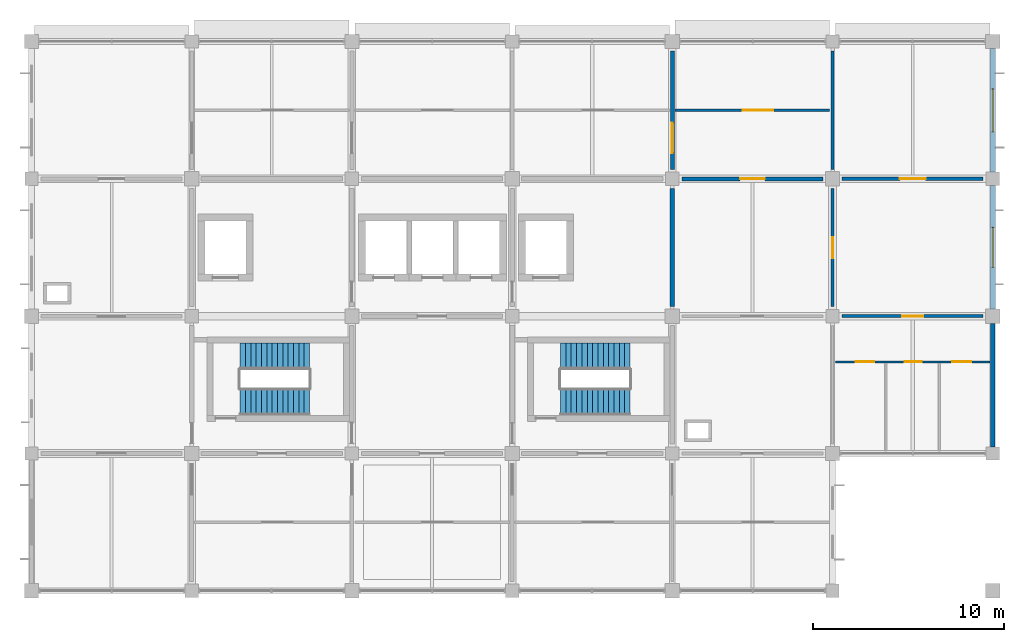
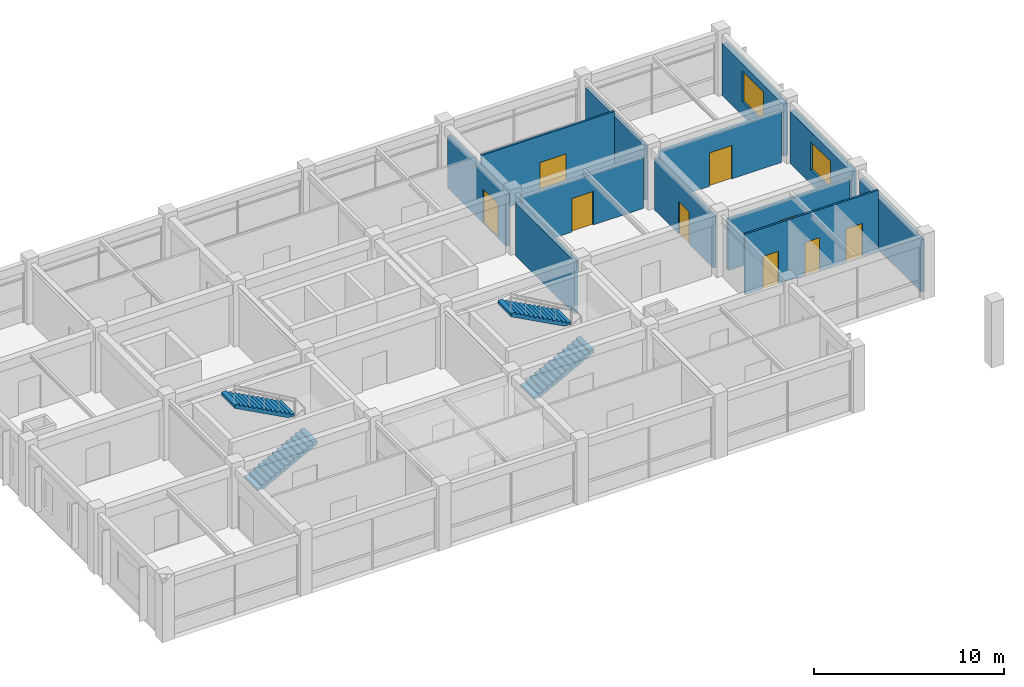
# One storey, part 11 of 13: 12 walls, 9 doors, 4 stair flights, 2 windows, 11 openings, 2 elements without a shape of their own.
"""IFC4 building model written with IfcOpenShell, lengths in metres."""

from ifc_helpers import new_model, si_unit, derived_unit, direction, frame, frame_2d, origin, place, context, subcontext, project, spatial, polyline, rectangle, outline, extrude, material, layer, layer_set, type_object, element, fill, aggregate, save


model = new_model("IFC4")

# Units and contexts
model_context = context("Model", 3, precision=1e-05, world=origin(), true_north=direction((0.0, 1.0)))
body_context = subcontext(model_context, "Body", "Model", "MODEL_VIEW")
ifc_project = project(units=[si_unit("LENGTHUNIT", "METRE"), si_unit("AREAUNIT", "SQUARE_METRE"), si_unit("VOLUMEUNIT", "CUBIC_METRE"), si_unit("PLANEANGLEUNIT", "RADIAN"), si_unit("MASSUNIT", "GRAM", prefix="KILO"), derived_unit("THERMALTRANSMITTANCEUNIT", [(si_unit("MASSUNIT", "GRAM", prefix="KILO"), 1), (si_unit("TIMEUNIT", "SECOND"), -3), (si_unit("THERMODYNAMICTEMPERATUREUNIT", "KELVIN"), -1)])], contexts=[model_context])

# Site, building, storey
site_placement = place(None, origin())
site = spatial("IfcSite", under=ifc_project, at=site_placement, CompositionType="ELEMENT")
building_placement = place(site_placement, origin())
building = spatial("IfcBuilding", under=site, at=building_placement, Name="Veldstrom Oceanarium and Marine Research Institute", CompositionType="ELEMENT")
storey_placement = place(building_placement, frame((0.0, 0.0, 39.60009765625)))
storey = spatial("IfcBuildingStorey", under=building, at=storey_placement, Name="L08", CompositionType="ELEMENT", Elevation=39.60009765625)

# Wall, opening, window
ifc_material_1 = material(Name="Masonry Cavity Wall", Category="masonry")
ifc_layer_1 = layer(ifc_material_1, 0.31005859375)
ifc_layer_set_1 = layer_set([ifc_layer_1], Name="ARC-WAL-EW1")
wall_type_1 = type_object("IfcWallType", Name="ARC-WAL-EW1", PredefinedType="SOLIDWALL", material=ifc_layer_set_1)
wall_1_placement = place(storey_placement, frame((117.60009765625, 57.97509765625, 0.0), z_axis=(0.0, 0.0, 1.0), x_axis=(0.0, 1.0, 0.0)))
wall_1 = element("IfcWall", 1, at=wall_1_placement, inside=storey, type_object=wall_type_1, Name="Exterior Facade Wall EW1 L08-210", PredefinedType="SOLIDWALL", context=body_context, shape_type="SweptSolid", body=[
    extrude(rectangle(XDim=6.474853515625, YDim=0.31005859375, at=frame_2d((3.2373046875, 0.0))), origin(), (0.0, 0.0, 1.0), 3.344970703125),
])
opening_1_placement = place(wall_1_placement, frame((2.1875, 0.0, 0.89990234375)))
opening_1 = element("IfcOpeningElement", 2, at=opening_1_placement, cuts=wall_1, Name="Opening W02", PredefinedType="OPENING", context=body_context, shape_type="SweptSolid", body=[
    extrude(rectangle(XDim=2.10009765625, YDim=1.800048828125, at=frame_2d((1.050048828125, 0.89990234375))), frame((0.0, 0.1650390625, 0.0), z_axis=(0.0, -1.0, 0.0), x_axis=(1.0, 0.0, 0.0)), (0.0, 0.0, 1.0), 0.330078125),
])
ifc_material_2 = material(Name="Double Glazed Low-E IGU", Category="glass")
window_type_1 = type_object("IfcWindowType", Name="ARC-WIN-W02", PartitioningType="SINGLE_PANEL", PredefinedType="WINDOW", material=ifc_material_2)
window_1_placement = place(opening_1_placement, origin())
window_1 = element("IfcWindow", 3, at=window_1_placement, inside=storey, type_object=window_type_1, Name="Facade Window W02 L08-0185", OverallHeight=1.800048828125, OverallWidth=2.10009765625, PartitioningType="SINGLE_PANEL", PredefinedType="WINDOW", context=body_context, shape_type="SweptSolid", body=[
    extrude(rectangle(XDim=2.10009765625, YDim=1.800048828125, at=frame_2d((1.050048828125, 0.89990234375))), frame((0.0, 0.030029296875, 0.0), z_axis=(0.0, -1.0, 0.0), x_axis=(1.0, 0.0, 0.0)), (0.0, 0.0, 1.0), 0.06005859375),
])
fill(opening_1, window_1)

ifc_material_3 = material(Name="Masonry Cavity Wall", Category="masonry")
ifc_layer_2 = layer(ifc_material_3, 0.2900390625)
ifc_layer_set_2 = layer_set([ifc_layer_2], Name="ARC-WAL-EW2")
wall_type_2 = type_object("IfcWallType", Name="ARC-WAL-EW2", PredefinedType="SOLIDWALL", material=ifc_layer_set_2)
wall_2_placement = place(storey_placement, frame((117.60009765625, 65.14990234375, 0.0), z_axis=(0.0, 0.0, 1.0), x_axis=(0.0, 1.0, 0.0)))
wall_2 = element("IfcWall", 4, at=wall_2_placement, inside=storey, type_object=wall_type_2, Name="Exterior Facade Wall EW2 L08-211", PredefinedType="SOLIDWALL", context=body_context, shape_type="SweptSolid", body=[
    extrude(rectangle(XDim=6.47509765625, YDim=0.2900390625, at=frame_2d((3.237548828125, 0.0))), origin(), (0.0, 0.0, 1.0), 3.344970703125),
])
opening_2_placement = place(wall_2_placement, frame((2.112548828125, 0.0, 0.89990234375)))
opening_2 = element("IfcOpeningElement", 5, at=opening_2_placement, cuts=wall_2, Name="Opening W21", PredefinedType="OPENING", context=body_context, shape_type="SweptSolid", body=[
    extrude(rectangle(XDim=2.25, YDim=1.949951171875, at=frame_2d((1.125, 0.97509765625))), frame((0.0, 0.155029296875, 0.0), z_axis=(0.0, -1.0, 0.0), x_axis=(1.0, 0.0, 0.0)), (0.0, 0.0, 1.0), 0.31005859375),
])
ifc_material_4 = material(Name="Double Glazed Low-E IGU", Category="glass")
window_type_2 = type_object("IfcWindowType", Name="ARC-WIN-W21", PartitioningType="SINGLE_PANEL", PredefinedType="WINDOW", material=ifc_material_4)
window_2_placement = place(opening_2_placement, origin())
window_2 = element("IfcWindow", 6, at=window_2_placement, inside=storey, type_object=window_type_2, Name="Facade Window W21 L08-0186", OverallHeight=1.949951171875, OverallWidth=2.25, PartitioningType="SINGLE_PANEL", PredefinedType="WINDOW", context=body_context, shape_type="SweptSolid", body=[
    extrude(rectangle(XDim=2.25, YDim=1.949951171875, at=frame_2d((1.125, 0.97509765625))), frame((0.0, 0.030029296875, 0.0), z_axis=(0.0, -1.0, 0.0), x_axis=(1.0, 0.0, 0.0)), (0.0, 0.0, 1.0), 0.06005859375),
])
fill(opening_2, window_2)

# Walls
ifc_material_5 = material(Name="Masonry Cavity Wall", Category="masonry")
ifc_layer_3 = layer(ifc_material_5, 0.215087890625)
ifc_layer_set_3 = layer_set([ifc_layer_3], Name="ARC-WAL-EW6")
wall_type_3 = type_object("IfcWallType", Name="ARC-WAL-EW6", PredefinedType="SOLIDWALL", material=ifc_layer_set_3)
wall_3_placement = place(storey_placement, frame((117.60009765625, 50.75, 0.0), z_axis=(0.0, 0.0, 1.0), x_axis=(0.0, 1.0, 0.0)))
element("IfcWall", 7, at=wall_3_placement, inside=storey, type_object=wall_type_3, Name="Exterior Facade Wall EW6 L08-209", PredefinedType="SOLIDWALL", context=body_context, shape_type="SweptSolid", body=[
    extrude(rectangle(XDim=6.47509765625, YDim=0.215087890625, at=frame_2d((3.237548828125, 0.0))), origin(), (0.0, 0.0, 1.0), 3.344970703125),
])
ifc_material_6 = material(Name="Masonry Fire Compartment Wall", Category="masonry")
ifc_layer_4 = layer(ifc_material_6, 0.22998046875)
ifc_layer_set_4 = layer_set([ifc_layer_4], Name="ARC-WAL-PT1")
wall_type_4 = type_object("IfcWallType", Name="ARC-WAL-PT1", PredefinedType="PARTITIONING", material=ifc_layer_set_4)
wall_4_placement = place(storey_placement, frame((100.800048828125, 58.10009765625, 0.0), z_axis=(0.0, 0.0, 1.0), x_axis=(0.0, 1.0, 0.0)))
element("IfcWall", 8, at=wall_4_placement, inside=storey, type_object=wall_type_4, Name="Interior Partition PT1 L08-1591", PredefinedType="PARTITIONING", context=body_context, shape_type="SweptSolid", body=[
    extrude(rectangle(XDim=6.199951171875, YDim=0.22998046875, at=frame_2d((3.10009765625, 0.0))), origin(), (0.0, 0.0, 1.0), 3.39501953125),
])

# Wall, opening, door
ifc_material_7 = material(Name="Gypsum Acoustic Lab Partition", Category="gypsum")
ifc_layer_5 = layer(ifc_material_7, 0.1201171875)
ifc_layer_set_5 = layer_set([ifc_layer_5], Name="ARC-WAL-PT10")
wall_type_5 = type_object("IfcWallType", Name="ARC-WAL-PT10", PredefinedType="PARTITIONING", material=ifc_layer_set_5)
wall_5_placement = place(storey_placement, frame((100.949951171875, 68.39990234375, 0.0), z_axis=(0.0, 0.0, 1.0), x_axis=(1.0, 0.0, 0.0)))
wall_5 = element("IfcWall", 9, at=wall_5_placement, inside=storey, type_object=wall_type_5, Name="Laboratory Suite Partition L08-12/9", PredefinedType="PARTITIONING", context=body_context, shape_type="SweptSolid", body=[
    extrude(rectangle(XDim=8.10009765625, YDim=0.1201171875, at=frame_2d((4.050048828125, 0.0))), origin(), (0.0, 0.0, 1.0), 3.89990234375),
])
opening_3_placement = place(wall_5_placement, frame((3.550048828125, 0.0, 0.0)))
opening_3 = element("IfcOpeningElement", 10, at=opening_3_placement, cuts=wall_5, Name="Opening D-L08-S948", PredefinedType="OPENING", context=body_context, shape_type="SweptSolid", body=[
    extrude(rectangle(XDim=1.60009765625, YDim=2.199951171875, at=frame_2d((0.800048828125, 1.10009765625))), frame((0.0, 0.070068359375, 0.0), z_axis=(0.0, -1.0, 0.0), x_axis=(1.0, 0.0, 0.0)), (0.0, 0.0, 1.0), 0.14013671875),
])
ifc_material_8 = material(Name="Acoustic Timber Corridor Door", Category="wood")
door_type_1 = type_object("IfcDoorType", Name="ARC-DOR-ID02", OperationType="DOUBLE_DOOR_SINGLE_SWING", PredefinedType="DOOR", material=ifc_material_8)
door_1_placement = place(opening_3_placement, origin())
door_1 = element("IfcDoor", 11, at=door_1_placement, inside=storey, type_object=door_type_1, Name="Suite Interior Door D-L08-S948", OperationType="SINGLE_SWING_LEFT", OverallHeight=2.199951171875, OverallWidth=1.60009765625, PredefinedType="DOOR", context=body_context, shape_type="SweptSolid", body=[
    extrude(rectangle(XDim=1.60009765625, YDim=2.199951171875, at=frame_2d((0.800048828125, 1.10009765625))), frame((0.0, 0.02490234375, 0.0), z_axis=(0.0, -1.0, 0.0), x_axis=(1.0, 0.0, 0.0)), (0.0, 0.0, 1.0), 0.050048828125),
])
fill(opening_3, door_1)

ifc_material_9 = material(Name="Masonry Acoustic Lab Partition", Category="masonry")
ifc_layer_6 = layer(ifc_material_9, 0.205078125)
ifc_layer_set_6 = layer_set([ifc_layer_6], Name="ARC-WAL-PT2")
wall_type_6 = type_object("IfcWallType", Name="ARC-WAL-PT2", PredefinedType="PARTITIONING", material=ifc_layer_set_6)
wall_6_placement = place(storey_placement, frame((100.800048828125, 65.300048828125, 0.0), z_axis=(0.0, 0.0, 1.0), x_axis=(0.0, 1.0, 0.0)))
wall_6 = element("IfcWall", 12, at=wall_6_placement, inside=storey, type_object=wall_type_6, Name="Interior Partition PT2 L08-1593", PredefinedType="PARTITIONING", context=body_context, shape_type="SweptSolid", body=[
    extrude(rectangle(XDim=6.199951171875, YDim=0.205078125, at=frame_2d((3.10009765625, 0.0))), origin(), (0.0, 0.0, 1.0), 3.344970703125),
])
opening_4_placement = place(wall_6_placement, frame((0.85009765625, 0.0, 0.0)))
opening_4 = element("IfcOpeningElement", 13, at=opening_4_placement, cuts=wall_6, Name="Opening D-L08-967", PredefinedType="OPENING", context=body_context, shape_type="SweptSolid", body=[
    extrude(rectangle(XDim=1.60009765625, YDim=2.199951171875, at=frame_2d((0.800048828125, 1.10009765625))), frame((0.0, 0.112548828125, 0.0), z_axis=(0.0, -1.0, 0.0), x_axis=(1.0, 0.0, 0.0)), (0.0, 0.0, 1.0), 0.22509765625),
])
door_2_placement = place(opening_4_placement, frame((1.60009765625, 0.0, 0.0), z_axis=(0.0, 0.0, 1.0), x_axis=(-1.0, 0.0, 0.0)))
door_2 = element("IfcDoor", 14, at=door_2_placement, inside=storey, type_object=door_type_1, Name="Interior Door D-L08-967", OperationType="DOUBLE_DOOR_SINGLE_SWING", OverallHeight=2.199951171875, OverallWidth=1.60009765625, PredefinedType="DOOR", context=body_context, shape_type="SweptSolid", body=[
    extrude(rectangle(XDim=1.60009765625, YDim=2.199951171875, at=frame_2d((0.800048828125, 1.10009765625))), frame((0.0, 0.02490234375, 0.0), z_axis=(0.0, -1.0, 0.0), x_axis=(1.0, 0.0, 0.0)), (0.0, 0.0, 1.0), 0.050048828125),
])
fill(opening_4, door_2)

wall_7_placement = place(storey_placement, frame((101.300048828125, 64.800048828125, 0.0), z_axis=(0.0, 0.0, 1.0), x_axis=(1.0, 0.0, 0.0)))
wall_7 = element("IfcWall", 15, at=wall_7_placement, inside=storey, type_object=wall_type_6, Name="Interior Partition PT2 L08-1598", PredefinedType="PARTITIONING", context=body_context, shape_type="SweptSolid", body=[
    extrude(rectangle(XDim=7.39990234375, YDim=0.205078125, at=frame_2d((3.699951171875, 0.0))), origin(), (0.0, 0.0, 1.0), 3.294921875),
])
opening_5_placement = place(wall_7_placement, frame((3.050048828125, 0.0, 0.0)))
opening_5 = element("IfcOpeningElement", 16, at=opening_5_placement, cuts=wall_7, Name="Opening D-L08-971", PredefinedType="OPENING", context=body_context, shape_type="SweptSolid", body=[
    extrude(rectangle(XDim=1.300048828125, YDim=2.14990234375, at=frame_2d((0.64990234375, 1.074951171875))), frame((0.0, 0.112548828125, 0.0), z_axis=(0.0, -1.0, 0.0), x_axis=(1.0, 0.0, 0.0)), (0.0, 0.0, 1.0), 0.22509765625),
])
ifc_material_10 = material(Name="Wet Lab Leaf-and-Half Door", Category="timber")
door_type_2 = type_object("IfcDoorType", Name="ARC-DOR-ID05", OperationType="SINGLE_SWING_LEFT", PredefinedType="DOOR", material=ifc_material_10)
door_3_placement = place(opening_5_placement, origin())
door_3 = element("IfcDoor", 17, at=door_3_placement, inside=storey, type_object=door_type_2, Name="Interior Door D-L08-971", OperationType="SINGLE_SWING_LEFT", OverallHeight=2.14990234375, OverallWidth=1.300048828125, PredefinedType="DOOR", context=body_context, shape_type="SweptSolid", body=[
    extrude(rectangle(XDim=1.300048828125, YDim=2.14990234375, at=frame_2d((0.64990234375, 1.074951171875))), frame((0.0, 0.02490234375, 0.0), z_axis=(0.0, -1.0, 0.0), x_axis=(1.0, 0.0, 0.0)), (0.0, 0.0, 1.0), 0.050048828125),
])
fill(opening_5, door_3)

# Wall
ifc_material_11 = material(Name="Drywall Acoustic Partition", Category="gypsum")
ifc_layer_7 = layer(ifc_material_11, 0.175048828125)
ifc_layer_set_7 = layer_set([ifc_layer_7], Name="ARC-WAL-PT3")
wall_type_7 = type_object("IfcWallType", Name="ARC-WAL-PT3", PredefinedType="PARTITIONING", material=ifc_layer_set_7)
wall_8_placement = place(storey_placement, frame((109.199951171875, 65.300048828125, 0.0), z_axis=(0.0, 0.0, 1.0), x_axis=(0.0, 1.0, 0.0)))
element("IfcWall", 18, at=wall_8_placement, inside=storey, type_object=wall_type_7, Name="Interior Partition PT3 L08-1599", PredefinedType="PARTITIONING", context=body_context, shape_type="SweptSolid", body=[
    extrude(rectangle(XDim=6.199951171875, YDim=0.175048828125, at=frame_2d((3.10009765625, 0.0))), origin(), (0.0, 0.0, 1.0), 3.494873046875),
])

# Wall, opening, door
wall_9_placement = place(storey_placement, frame((109.699951171875, 64.800048828125, 0.0), z_axis=(0.0, 0.0, 1.0), x_axis=(1.0, 0.0, 0.0)))
wall_9 = element("IfcWall", 19, at=wall_9_placement, inside=storey, type_object=wall_type_7, Name="Interior Partition PT3 L08-1601", PredefinedType="PARTITIONING", context=body_context, shape_type="SweptSolid", body=[
    extrude(rectangle(XDim=7.400146484375, YDim=0.175048828125, at=frame_2d((3.7001953125, 0.0))), origin(), (0.0, 0.0, 1.0), 3.294921875),
])
opening_6_placement = place(wall_9_placement, frame((3.02490234375, 0.0, 0.0)))
opening_6 = element("IfcOpeningElement", 20, at=opening_6_placement, cuts=wall_9, Name="Opening D-L08-973", PredefinedType="OPENING", context=body_context, shape_type="SweptSolid", body=[
    extrude(rectangle(XDim=1.35009765625, YDim=2.14990234375, at=frame_2d((0.675048828125, 1.074951171875))), frame((0.0, 0.097412109375, 0.0), z_axis=(0.0, -1.0, 0.0), x_axis=(1.0, 0.0, 0.0)), (0.0, 0.0, 1.0), 0.195068359375),
])
ifc_material_12 = material(Name="Cleanroom Airlock Door", Category="steel")
door_type_3 = type_object("IfcDoorType", Name="ARC-DOR-ID15", OperationType="SINGLE_SWING_LEFT", PredefinedType="DOOR", material=ifc_material_12)
door_4_placement = place(opening_6_placement, frame((1.35009765625, 0.0, 0.0), z_axis=(0.0, 0.0, 1.0), x_axis=(-1.0, 0.0, 0.0)))
door_4 = element("IfcDoor", 21, at=door_4_placement, inside=storey, type_object=door_type_3, Name="Interior Door D-L08-973", OperationType="SINGLE_SWING_LEFT", OverallHeight=2.14990234375, OverallWidth=1.35009765625, PredefinedType="DOOR", context=body_context, shape_type="SweptSolid", body=[
    extrude(rectangle(XDim=1.35009765625, YDim=2.14990234375, at=frame_2d((0.675048828125, 1.074951171875))), frame((0.0, 0.02490234375, 0.0), z_axis=(0.0, -1.0, 0.0), x_axis=(1.0, 0.0, 0.0)), (0.0, 0.0, 1.0), 0.050048828125),
])
fill(opening_6, door_4)

ifc_material_13 = material(Name="Drywall Corridor Partition", Category="gypsum")
ifc_layer_8 = layer(ifc_material_13, 0.155029296875)
ifc_layer_set_8 = layer_set([ifc_layer_8], Name="ARC-WAL-PT4")
wall_type_8 = type_object("IfcWallType", Name="ARC-WAL-PT4", PredefinedType="PARTITIONING", material=ifc_layer_set_8)
wall_10_placement = place(storey_placement, frame((109.199951171875, 58.10009765625, 0.0), z_axis=(0.0, 0.0, 1.0), x_axis=(0.0, 1.0, 0.0)))
wall_10 = element("IfcWall", 22, at=wall_10_placement, inside=storey, type_object=wall_type_8, Name="Interior Partition PT4 L08-1597", PredefinedType="PARTITIONING", context=body_context, shape_type="SweptSolid", body=[
    extrude(rectangle(XDim=6.199951171875, YDim=0.155029296875, at=frame_2d((3.10009765625, 0.0))), origin(), (0.0, 0.0, 1.0), 3.344970703125),
])
opening_7_placement = place(wall_10_placement, frame((2.550048828125, 0.0, 0.0)))
opening_7 = element("IfcOpeningElement", 23, at=opening_7_placement, cuts=wall_10, Name="Opening D-L08-970", PredefinedType="OPENING", context=body_context, shape_type="SweptSolid", body=[
    extrude(rectangle(XDim=1.10009765625, YDim=2.10009765625, at=frame_2d((0.550048828125, 1.050048828125))), frame((0.0, 0.08740234375, 0.0), z_axis=(0.0, -1.0, 0.0), x_axis=(1.0, 0.0, 0.0)), (0.0, 0.0, 1.0), 0.175048828125),
])
ifc_material_14 = material(Name="Research Office Door", Category="timber")
door_type_4 = type_object("IfcDoorType", Name="ARC-DOR-ID07", OperationType="SINGLE_SWING_LEFT", PredefinedType="DOOR", material=ifc_material_14)
door_5_placement = place(opening_7_placement, frame((1.10009765625, 0.0, 0.0), z_axis=(0.0, 0.0, 1.0), x_axis=(-1.0, 0.0, 0.0)))
door_5 = element("IfcDoor", 24, at=door_5_placement, inside=storey, type_object=door_type_4, Name="Interior Door D-L08-970", OperationType="SINGLE_SWING_RIGHT", OverallHeight=2.10009765625, OverallWidth=1.10009765625, PredefinedType="DOOR", context=body_context, shape_type="SweptSolid", body=[
    extrude(rectangle(XDim=1.10009765625, YDim=2.10009765625, at=frame_2d((0.550048828125, 1.050048828125))), frame((0.0, 0.02490234375, 0.0), z_axis=(0.0, -1.0, 0.0), x_axis=(1.0, 0.0, 0.0)), (0.0, 0.0, 1.0), 0.050048828125),
])
fill(opening_7, door_5)

wall_11_placement = place(storey_placement, frame((109.699951171875, 57.60009765625, 0.0), z_axis=(0.0, 0.0, 1.0), x_axis=(1.0, 0.0, 0.0)))
wall_11 = element("IfcWall", 25, at=wall_11_placement, inside=storey, type_object=wall_type_8, Name="Interior Partition PT4 L08-1600", PredefinedType="PARTITIONING", context=body_context, shape_type="SweptSolid", body=[
    extrude(rectangle(XDim=7.400146484375, YDim=0.155029296875, at=frame_2d((3.7001953125, 0.0))), origin(), (0.0, 0.0, 1.0), 3.294921875),
])
opening_8_placement = place(wall_11_placement, frame((3.14990234375, 0.0, 0.0)))
opening_8 = element("IfcOpeningElement", 26, at=opening_8_placement, cuts=wall_11, Name="Opening D-L08-972", PredefinedType="OPENING", context=body_context, shape_type="SweptSolid", body=[
    extrude(rectangle(XDim=1.10009765625, YDim=2.10009765625, at=frame_2d((0.550048828125, 1.050048828125))), frame((0.0, 0.08740234375, 0.0), z_axis=(0.0, -1.0, 0.0), x_axis=(1.0, 0.0, 0.0)), (0.0, 0.0, 1.0), 0.175048828125),
])
door_6_placement = place(opening_8_placement, frame((1.10009765625, 0.0, 0.0), z_axis=(0.0, 0.0, 1.0), x_axis=(-1.0, 0.0, 0.0)))
door_6 = element("IfcDoor", 27, at=door_6_placement, inside=storey, type_object=door_type_4, Name="Interior Door D-L08-972", OperationType="SINGLE_SWING_RIGHT", OverallHeight=2.10009765625, OverallWidth=1.10009765625, PredefinedType="DOOR", context=body_context, shape_type="SweptSolid", body=[
    extrude(rectangle(XDim=1.10009765625, YDim=2.10009765625, at=frame_2d((0.550048828125, 1.050048828125))), frame((0.0, 0.02490234375, 0.0), z_axis=(0.0, -1.0, 0.0), x_axis=(1.0, 0.0, 0.0)), (0.0, 0.0, 1.0), 0.050048828125),
])
fill(opening_8, door_6)

# Wall, openings, doors
ifc_material_15 = material(Name="Lightweight Studio Partition", Category="gypsum")
ifc_layer_9 = layer(ifc_material_15, 0.1201171875)
ifc_layer_set_9 = layer_set([ifc_layer_9], Name="ARC-WAL-PT6")
wall_type_9 = type_object("IfcWallType", Name="ARC-WAL-PT6", PredefinedType="PARTITIONING", material=ifc_layer_set_9)
wall_12_placement = place(storey_placement, frame((109.35009765625, 55.199951171875, 0.0), z_axis=(0.0, 0.0, 1.0), x_axis=(1.0, 0.0, 0.0)))
wall_12 = element("IfcWall", 28, at=wall_12_placement, inside=storey, type_object=wall_type_9, Name="Sanitary Vestibule Partition L08-13", PredefinedType="PARTITIONING", context=body_context, shape_type="SweptSolid", body=[
    extrude(rectangle(XDim=8.099853515625, YDim=0.1201171875, at=frame_2d((4.0498046875, 0.0))), origin(), (0.0, 0.0, 1.0), 3.89990234375),
])
opening_9_placement = place(wall_12_placement, frame((1.080078125, 0.0, 0.0)))
opening_9 = element("IfcOpeningElement", 29, at=opening_9_placement, cuts=wall_12, Name="Opening D-L08-WC938", PredefinedType="OPENING", context=body_context, shape_type="SweptSolid", body=[
    extrude(rectangle(XDim=0.949951171875, YDim=2.10009765625, at=frame_2d((0.47509765625, 1.050048828125))), frame((0.0, 0.070068359375, 0.0), z_axis=(0.0, -1.0, 0.0), x_axis=(1.0, 0.0, 0.0)), (0.0, 0.0, 1.0), 0.14013671875),
])
opening_10_placement = place(wall_12_placement, frame((3.6298828125, 0.0, 0.0)))
opening_10 = element("IfcOpeningElement", 30, at=opening_10_placement, cuts=wall_12, Name="Opening D-L08-WC939", PredefinedType="OPENING", context=body_context, shape_type="SweptSolid", body=[
    extrude(rectangle(XDim=0.89990234375, YDim=2.10009765625, at=frame_2d((0.449951171875, 1.050048828125))), frame((0.0, 0.070068359375, 0.0), z_axis=(0.0, -1.0, 0.0), x_axis=(1.0, 0.0, 0.0)), (0.0, 0.0, 1.0), 0.14013671875),
])
opening_11_placement = place(wall_12_placement, frame((6.1298828125, 0.0, 0.0)))
opening_11 = element("IfcOpeningElement", 31, at=opening_11_placement, cuts=wall_12, Name="Opening D-L08-WC940", PredefinedType="OPENING", context=body_context, shape_type="SweptSolid", body=[
    extrude(rectangle(XDim=1.0, YDim=2.10009765625, at=frame_2d((0.5, 1.050048828125))), frame((0.0, 0.070068359375, 0.0), z_axis=(0.0, -1.0, 0.0), x_axis=(1.0, 0.0, 0.0)), (0.0, 0.0, 1.0), 0.14013671875),
])
ifc_material_16 = material(Name="Accessible Sanitary Door", Category="timber")
door_type_5 = type_object("IfcDoorType", Name="ARC-DOR-ID08", OperationType="SINGLE_SWING_RIGHT", PredefinedType="DOOR", material=ifc_material_16)
door_7_placement = place(opening_11_placement, frame((1.0, 0.0, 0.0), z_axis=(0.0, 0.0, 1.0), x_axis=(-1.0, 0.0, 0.0)))
door_7 = element("IfcDoor", 32, at=door_7_placement, inside=storey, type_object=door_type_5, Name="Accessible WC Door D-L08-WC940", OperationType="SINGLE_SWING_RIGHT", OverallHeight=2.10009765625, OverallWidth=1.0, PredefinedType="DOOR", context=body_context, shape_type="SweptSolid", body=[
    extrude(rectangle(XDim=1.0, YDim=2.10009765625, at=frame_2d((0.5, 1.050048828125))), frame((0.0, 0.02490234375, 0.0), z_axis=(0.0, -1.0, 0.0), x_axis=(1.0, 0.0, 0.0)), (0.0, 0.0, 1.0), 0.050048828125),
])
fill(opening_11, door_7)
ifc_material_17 = material(Name="Staff Sanitary Door", Category="timber")
door_type_6 = type_object("IfcDoorType", Name="ARC-DOR-ID09", OperationType="SINGLE_SWING_LEFT", PredefinedType="DOOR", material=ifc_material_17)
door_8_placement = place(opening_9_placement, frame((0.949951171875, 0.0, 0.0), z_axis=(0.0, 0.0, 1.0), x_axis=(-1.0, 0.0, 0.0)))
door_8 = element("IfcDoor", 33, at=door_8_placement, inside=storey, type_object=door_type_6, Name="Male WC Door D-L08-WC938", OperationType="SINGLE_SWING_RIGHT", OverallHeight=2.10009765625, OverallWidth=0.949951171875, PredefinedType="DOOR", context=body_context, shape_type="SweptSolid", body=[
    extrude(rectangle(XDim=0.949951171875, YDim=2.10009765625, at=frame_2d((0.47509765625, 1.050048828125))), frame((0.0, 0.02490234375, 0.0), z_axis=(0.0, -1.0, 0.0), x_axis=(1.0, 0.0, 0.0)), (0.0, 0.0, 1.0), 0.050048828125),
])
fill(opening_9, door_8)
ifc_material_18 = material(Name="Internal Sanitary Door", Category="timber")
door_type_7 = type_object("IfcDoorType", Name="ARC-DOR-ID10", OperationType="SINGLE_SWING_RIGHT", PredefinedType="DOOR", material=ifc_material_18)
door_9_placement = place(opening_10_placement, frame((0.89990234375, 0.0, 0.0), z_axis=(0.0, 0.0, 1.0), x_axis=(-1.0, 0.0, 0.0)))
door_9 = element("IfcDoor", 34, at=door_9_placement, inside=storey, type_object=door_type_7, Name="Female WC Door D-L08-WC939", OperationType="SINGLE_SWING_LEFT", OverallHeight=2.10009765625, OverallWidth=0.89990234375, PredefinedType="DOOR", context=body_context, shape_type="SweptSolid", body=[
    extrude(rectangle(XDim=0.89990234375, YDim=2.10009765625, at=frame_2d((0.449951171875, 1.050048828125))), frame((0.0, 0.02490234375, 0.0), z_axis=(0.0, -1.0, 0.0), x_axis=(1.0, 0.0, 0.0)), (0.0, 0.0, 1.0), 0.050048828125),
])
fill(opening_10, door_9)

# Stair, stair flights
ifc_material_19 = material(Name="Concrete C40/50", Category="concrete")
stair_type = type_object("IfcStairType", Name="ARC-STR-ST-420", PredefinedType="TWO_STRAIGHT_RUN_STAIR", material=ifc_material_19)
stair_1_placement = place(storey_placement, origin())
stair_1 = element("IfcStair", 35, at=stair_1_placement, inside=storey, type_object=stair_type, Name="Dog-Leg Escape Stair ST1-L08", PredefinedType="TWO_STRAIGHT_RUN_STAIR")
ifc_material_20 = material(Name="Concrete C40/50", Category="concrete")
stair_flight_type = type_object("IfcStairFlightType", Name="ARC-STF-ST-420", PredefinedType="STRAIGHT", material=ifc_material_20)
stair_flight_1_placement = place(storey_placement, frame((78.139892578125, 53.10009765625, 0.0), z_axis=(0.0, 0.0, 1.0), x_axis=(1.0, 0.0, 0.0)))
stair_flight_1 = element("IfcStairFlight", 36, at=stair_flight_1_placement, type_object=stair_flight_type, Name="Stair Flight ST1-L08-1", NumberOfRisers=14, NumberOfTreads=13, PredefinedType="STRAIGHT", RiserHeight=0.15, TreadLength=0.28, context=body_context, shape_type="SweptSolid", body=[
    extrude(outline(polyline([(0.0, 0.0), (0.0, 0.14990234375), (0.280029296875, 0.14990234375), (0.280029296875, 0.300048828125), (0.56005859375, 0.300048828125), (0.56005859375, 0.449951171875), (0.840087890625, 0.449951171875), (0.840087890625, 0.60009765625), (1.1201171875, 0.60009765625), (1.1201171875, 0.75), (1.39990234375, 0.75), (1.39990234375, 0.89990234375), (1.679931640625, 0.89990234375), (1.679931640625, 1.050048828125), (1.9599609375, 1.050048828125), (1.9599609375, 1.199951171875), (2.239990234375, 1.199951171875), (2.239990234375, 1.35009765625), (2.52001953125, 1.35009765625), (2.52001953125, 1.5), (2.800048828125, 1.5), (2.800048828125, 1.64990234375), (3.080078125, 1.64990234375), (3.080078125, 1.800048828125), (3.360107421875, 1.800048828125), (3.360107421875, 1.949951171875), (3.639892578125, 1.949951171875), (3.639892578125, 2.10009765625), (3.639892578125, 1.745849609375), (0.381103515625, 0.0), (0.0, 0.0)])), frame((0.0, 0.699951171875, 0.0), z_axis=(0.0, -1.0, 0.0), x_axis=(1.0, 0.0, 0.0)), (0.0, 0.0, 1.0), 1.39990234375),
])
stair_flight_2_placement = place(storey_placement, frame((81.780029296875, 55.5, 2.099853515625), z_axis=(0.0, 0.0, 1.0), x_axis=(-1.0, 0.0, 0.0)))
stair_flight_2 = element("IfcStairFlight", 37, at=stair_flight_2_placement, type_object=stair_flight_type, Name="Stair Flight ST1-L08-2", NumberOfRisers=14, NumberOfTreads=13, PredefinedType="STRAIGHT", RiserHeight=0.15, TreadLength=0.28, context=body_context, shape_type="SweptSolid", body=[
    extrude(outline(polyline([(0.0, 0.0), (0.0, 0.14990234375), (0.280029296875, 0.14990234375), (0.280029296875, 0.300048828125), (0.56005859375, 0.300048828125), (0.56005859375, 0.449951171875), (0.840087890625, 0.449951171875), (0.840087890625, 0.60009765625), (1.1201171875, 0.60009765625), (1.1201171875, 0.75), (1.39990234375, 0.75), (1.39990234375, 0.89990234375), (1.679931640625, 0.89990234375), (1.679931640625, 1.050048828125), (1.9599609375, 1.050048828125), (1.9599609375, 1.199951171875), (2.239990234375, 1.199951171875), (2.239990234375, 1.35009765625), (2.52001953125, 1.35009765625), (2.52001953125, 1.5), (2.800048828125, 1.5), (2.800048828125, 1.64990234375), (3.080078125, 1.64990234375), (3.080078125, 1.800048828125), (3.360107421875, 1.800048828125), (3.360107421875, 1.949951171875), (3.639892578125, 1.949951171875), (3.639892578125, 2.10009765625), (3.639892578125, 1.745849609375), (0.381103515625, 0.0), (0.0, 0.0)])), frame((0.0, 0.699951171875, 0.0), z_axis=(0.0, -1.0, 0.0), x_axis=(1.0, 0.0, 0.0)), (0.0, 0.0, 1.0), 1.39990234375),
])
aggregate(stair_1, [stair_flight_1, stair_flight_2])

stair_2_placement = place(storey_placement, origin())
stair_2 = element("IfcStair", 38, at=stair_2_placement, inside=storey, type_object=stair_type, Name="Dog-Leg Escape Stair ST2-L08", PredefinedType="TWO_STRAIGHT_RUN_STAIR")
stair_flight_3_placement = place(storey_placement, frame((94.93994140625, 53.10009765625, 0.0), z_axis=(0.0, 0.0, 1.0), x_axis=(1.0, 0.0, 0.0)))
stair_flight_3 = element("IfcStairFlight", 39, at=stair_flight_3_placement, type_object=stair_flight_type, Name="Stair Flight ST2-L08-1", NumberOfRisers=14, NumberOfTreads=13, PredefinedType="STRAIGHT", RiserHeight=0.15, TreadLength=0.28, context=body_context, shape_type="SweptSolid", body=[
    extrude(outline(polyline([(0.0, 0.0), (0.0, 0.14990234375), (0.280029296875, 0.14990234375), (0.280029296875, 0.300048828125), (0.56005859375, 0.300048828125), (0.56005859375, 0.449951171875), (0.840087890625, 0.449951171875), (0.840087890625, 0.60009765625), (1.1201171875, 0.60009765625), (1.1201171875, 0.75), (1.39990234375, 0.75), (1.39990234375, 0.89990234375), (1.679931640625, 0.89990234375), (1.679931640625, 1.050048828125), (1.9599609375, 1.050048828125), (1.9599609375, 1.199951171875), (2.239990234375, 1.199951171875), (2.239990234375, 1.35009765625), (2.52001953125, 1.35009765625), (2.52001953125, 1.5), (2.800048828125, 1.5), (2.800048828125, 1.64990234375), (3.080078125, 1.64990234375), (3.080078125, 1.800048828125), (3.360107421875, 1.800048828125), (3.360107421875, 1.949951171875), (3.639892578125, 1.949951171875), (3.639892578125, 2.10009765625), (3.639892578125, 1.745849609375), (0.381103515625, 0.0), (0.0, 0.0)])), frame((0.0, 0.699951171875, 0.0), z_axis=(0.0, -1.0, 0.0), x_axis=(1.0, 0.0, 0.0)), (0.0, 0.0, 1.0), 1.39990234375),
])
stair_flight_4_placement = place(storey_placement, frame((98.580078125, 55.5, 2.099853515625), z_axis=(0.0, 0.0, 1.0), x_axis=(-1.0, 0.0, 0.0)))
stair_flight_4 = element("IfcStairFlight", 40, at=stair_flight_4_placement, type_object=stair_flight_type, Name="Stair Flight ST2-L08-2", NumberOfRisers=14, NumberOfTreads=13, PredefinedType="STRAIGHT", RiserHeight=0.15, TreadLength=0.28, context=body_context, shape_type="SweptSolid", body=[
    extrude(outline(polyline([(0.0, 0.0), (0.0, 0.14990234375), (0.280029296875, 0.14990234375), (0.280029296875, 0.300048828125), (0.56005859375, 0.300048828125), (0.56005859375, 0.449951171875), (0.840087890625, 0.449951171875), (0.840087890625, 0.60009765625), (1.1201171875, 0.60009765625), (1.1201171875, 0.75), (1.39990234375, 0.75), (1.39990234375, 0.89990234375), (1.679931640625, 0.89990234375), (1.679931640625, 1.050048828125), (1.9599609375, 1.050048828125), (1.9599609375, 1.199951171875), (2.239990234375, 1.199951171875), (2.239990234375, 1.35009765625), (2.52001953125, 1.35009765625), (2.52001953125, 1.5), (2.800048828125, 1.5), (2.800048828125, 1.64990234375), (3.080078125, 1.64990234375), (3.080078125, 1.800048828125), (3.360107421875, 1.800048828125), (3.360107421875, 1.949951171875), (3.639892578125, 1.949951171875), (3.639892578125, 2.10009765625), (3.639892578125, 1.745849609375), (0.381103515625, 0.0), (0.0, 0.0)])), frame((0.0, 0.699951171875, 0.0), z_axis=(0.0, -1.0, 0.0), x_axis=(1.0, 0.0, 0.0)), (0.0, 0.0, 1.0), 1.39990234375),
])
aggregate(stair_2, [stair_flight_3, stair_flight_4])

save(model, "model.ifc")
